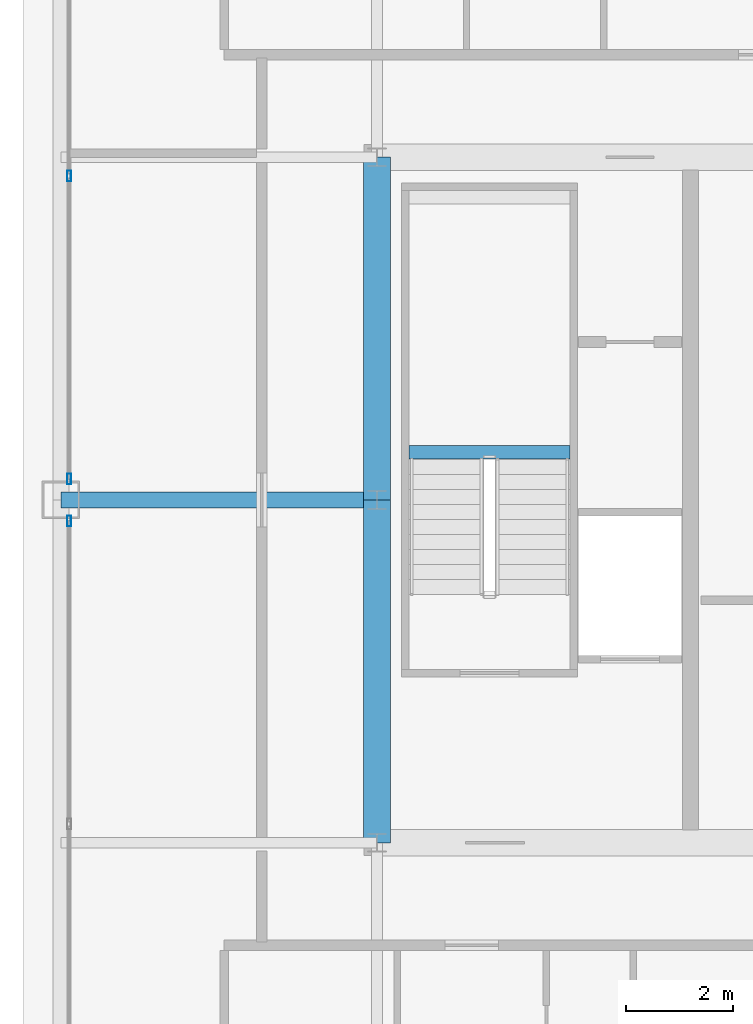
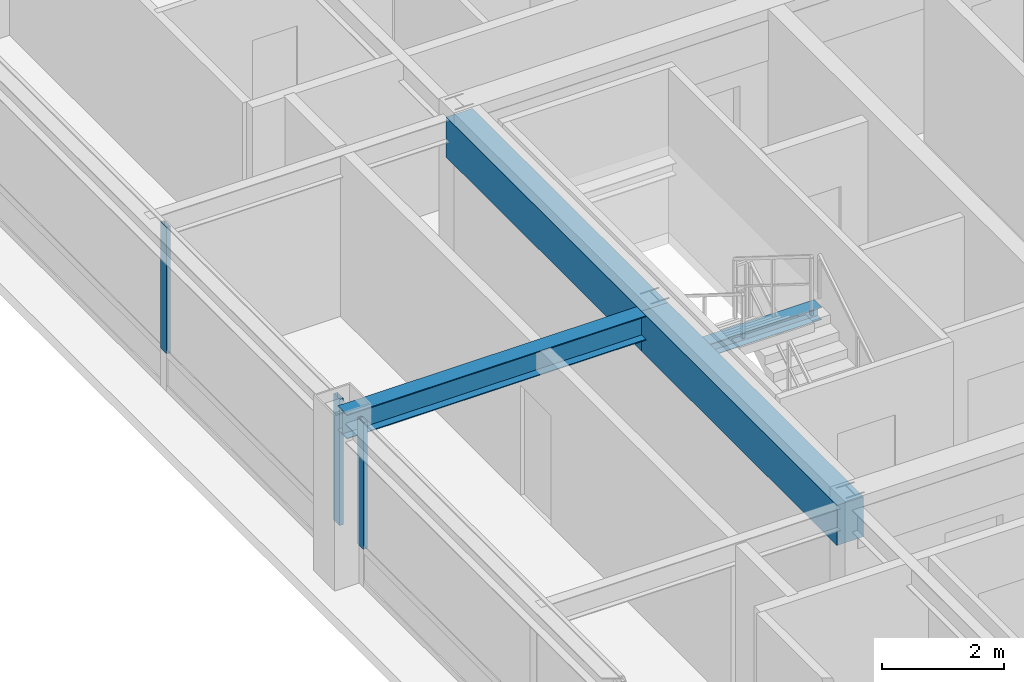
# One storey, part 11 of 35: 4 beams, 3 members, 2 elements without a shape of their own.
"""IFC4 building model written with IfcOpenShell, lengths in metres."""

from ifc_helpers import new_model, si_unit, direction, frame, origin, origin_2d, place, context, subcontext, project, spatial, rectangle, hollow_rectangle, i_section, extrude, source, transform, mapped, material, layer, layer_set, material_profile, profile_set, type_object, element, aggregate, save


model = new_model("IFC4")

# Units and contexts
model_context = context("Model", 3, precision=1e-05, world=origin(), true_north=direction((0.0, 1.0)))
body_context = subcontext(model_context, "Body", "Model", "MODEL_VIEW")
ifc_project = project(units=[si_unit("LENGTHUNIT", "METRE"), si_unit("AREAUNIT", "SQUARE_METRE"), si_unit("VOLUMEUNIT", "CUBIC_METRE"), si_unit("PLANEANGLEUNIT", "RADIAN"), si_unit("MASSUNIT", "GRAM", prefix="KILO"), si_unit("THERMODYNAMICTEMPERATUREUNIT", "KELVIN"), si_unit("POWERUNIT", "WATT")], contexts=[model_context])

# Site, building, storey
site_placement = place(None, origin())
site = spatial("IfcSite", under=ifc_project, at=site_placement, CompositionType="ELEMENT")
building_placement = place(site_placement, origin())
building = spatial("IfcBuilding", under=site, at=building_placement, Name="Yuzanri Waterfront Tower", CompositionType="ELEMENT")
storey_placement = place(building_placement, frame((0.0, 0.0, 289.10009765625)))
storey = spatial("IfcBuildingStorey", under=building, at=storey_placement, Name="L77", CompositionType="ELEMENT", Elevation=289.10009765625)

# Beams
ifc_material_1 = material(Name="Concrete C50", Category="concrete")
ifc_material_profile_1 = material_profile(ifc_material_1, rectangle(XDim=0.5, YDim=0.800048828125, at=origin_2d()), Name="RC 500x800")
ifc_profile_set_1 = profile_set([ifc_material_profile_1], Name="Concrete C50")
beam_type_1 = type_object("IfcBeamType", Name="Core Coupling Lintel Concrete C50 500x800", PredefinedType="LINTEL", material=ifc_profile_set_1)
shared_shape_1 = source(origin(), body_context, "Body", "SweptSolid", [
    extrude(rectangle(XDim=0.5, YDim=0.800048828125, at=origin_2d()), origin(), (0.0, 0.0, 1.0), 6.400146484375),
])
beam_1_placement = place(storey_placement, frame((23.800048828125, 19.39990234375, 2.8798828125), z_axis=(0.0, 1.0, 0.0), x_axis=(-1.0, 0.0, 0.0)))
element("IfcBeam", 1, at=beam_1_placement, inside=storey, type_object=beam_type_1, Name="L77 Core Tie Beam CW1", PredefinedType="LINTEL", context=body_context, shape_type="MappedRepresentation", body=[
    mapped(shared_shape_1, transform((0.0, 0.0, 0.0), scale=1.0)),
])
shared_shape_2 = source(origin(), body_context, "Body", "SweptSolid", [
    extrude(rectangle(XDim=0.5, YDim=0.800048828125, at=origin_2d()), origin(), (0.0, 0.0, 1.0), 6.39990234375),
])
beam_2_placement = place(storey_placement, frame((23.800048828125, 25.800048828125, 2.8798828125), z_axis=(0.0, 1.0, 0.0), x_axis=(-1.0, 0.0, 0.0)))
element("IfcBeam", 2, at=beam_2_placement, inside=storey, type_object=beam_type_1, Name="L77 Core Tie Beam CW2", PredefinedType="LINTEL", context=body_context, shape_type="MappedRepresentation", body=[
    mapped(shared_shape_2, transform((0.0, 0.0, 0.0), scale=1.0)),
])
ifc_material_2 = material(Name="Steel Q355B", Category="steel")
ifc_material_profile_2 = material_profile(ifc_material_2, i_section(OverallWidth=0.300048828125, OverallDepth=0.488037109375, WebThickness=0.010986328125, FlangeThickness=0.01806640625, at=origin_2d()), Name="HM 488x300x11x18")
ifc_profile_set_2 = profile_set([ifc_material_profile_2], Name="Steel Q355B")
beam_type_2 = type_object("IfcBeamType", Name="Primary Floor Girder Q355B HM 488x300", PredefinedType="BEAM", material=ifc_profile_set_2)
shared_shape_3 = source(origin(), body_context, "Body", "SweptSolid", [
    extrude(i_section(OverallWidth=0.300048828125, OverallDepth=0.488037109375, WebThickness=0.010986328125, FlangeThickness=0.01806640625, at=origin_2d()), origin(), (0.0, 0.0, 1.0), 5.900146484375),
])
beam_3_placement = place(storey_placement, frame((23.800048828125, 25.800048828125, 3.035888671875), z_axis=(-1.0, 0.0, 0.0), x_axis=(0.0, -1.0, 0.0)))
element("IfcBeam", 3, at=beam_3_placement, inside=storey, type_object=beam_type_2, Name="L77 West Grid Girder", PredefinedType="BEAM", context=body_context, shape_type="MappedRepresentation", body=[
    mapped(shared_shape_3, transform((0.0, 0.0, 0.0), scale=1.0)),
])

# Curtain wall, member
ifc_material_3 = material(Name="Anodized Architectural Bronze", Category="metal")
ifc_layer = layer(ifc_material_3, 0.159912109375)
ifc_layer_set = layer_set([ifc_layer], Name="Anodized Architectural Bronze")
curtain_wall_type = type_object("IfcCurtainWallType", Name="Anodized Bronze High-Rise Penthouse High-Wind Unitized Curtain Wall 6900", PredefinedType="NOTDEFINED", material=ifc_layer_set)
curtain_wall_1_placement = place(storey_placement, origin())
curtain_wall_1 = element("IfcCurtainWall", 4, at=curtain_wall_1_placement, inside=storey, type_object=curtain_wall_type, Name="L77 Curtain Wall CW-L77-WL", PredefinedType="NOTDEFINED")
ifc_material_4 = material(Name="Anodized Architectural Bronze", Category="metal")
ifc_material_profile_3 = material_profile(ifc_material_4, hollow_rectangle(XDim=0.074951171875, YDim=0.199951171875, WallThickness=0.00390625, at=origin_2d()), Name="CWM 75x200")
ifc_profile_set_3 = profile_set([ifc_material_profile_3], Name="Anodized Architectural Bronze")
member_type = type_object("IfcMemberType", Name="Anodized Bronze Primary Curtain-Wall Mullion 75x200", PredefinedType="MULLION", material=ifc_profile_set_3)
shared_shape_4 = source(origin(), body_context, "Body", "SweptSolid", [
    extrude(hollow_rectangle(XDim=0.074951171875, YDim=0.199951171875, WallThickness=0.00390625, at=origin_2d()), origin(), (0.0, 0.0, 1.0), 2.52392578125),
])
member_1_placement = place(storey_placement, frame((18.050048828125, 25.409912109375, 0.755859375), z_axis=(0.0, 0.0, 1.0), x_axis=(1.0, 0.0, 0.0)))
member_1 = element("IfcMember", 5, at=member_1_placement, type_object=member_type, Name="CW-L77-WL Upper Mullion 02", PredefinedType="MULLION", context=body_context, shape_type="MappedRepresentation", body=[
    mapped(shared_shape_4, transform((0.0, 0.0, 0.0), scale=1.0)),
])
aggregate(curtain_wall_1, [member_1])

# Curtain wall, members
curtain_wall_2_placement = place(storey_placement, origin())
curtain_wall_2 = element("IfcCurtainWall", 6, at=curtain_wall_2_placement, inside=storey, type_object=curtain_wall_type, Name="L77 Curtain Wall CW-L77-WR", PredefinedType="NOTDEFINED")
member_2_placement = place(storey_placement, frame((18.050048828125, 26.18994140625, 0.755859375), z_axis=(0.0, 0.0, 1.0), x_axis=(1.0, 0.0, 0.0)))
member_2 = element("IfcMember", 7, at=member_2_placement, type_object=member_type, Name="CW-L77-WR Upper Mullion 00", PredefinedType="MULLION", context=body_context, shape_type="MappedRepresentation", body=[
    mapped(shared_shape_4, transform((0.0, 0.0, 0.0), scale=1.0)),
])
member_3_placement = place(storey_placement, frame((18.050048828125, 31.85009765625, 0.755859375), z_axis=(0.0, 0.0, 1.0), x_axis=(1.0, 0.0, 0.0)))
member_3 = element("IfcMember", 8, at=member_3_placement, type_object=member_type, Name="CW-L77-WR Upper Mullion 01", PredefinedType="MULLION", context=body_context, shape_type="MappedRepresentation", body=[
    mapped(shared_shape_4, transform((0.0, 0.0, 0.0), scale=1.0)),
])
aggregate(curtain_wall_2, [member_2, member_3])

# Beam
ifc_material_5 = material(Name="Steel Q355B", Category="steel")
ifc_material_profile_4 = material_profile(ifc_material_5, i_section(OverallWidth=0.25, OverallDepth=0.25, WebThickness=0.009033203125, FlangeThickness=0.013916015625, at=origin_2d()), Name="HW 250x250x9x14")
ifc_profile_set_4 = profile_set([ifc_material_profile_4], Name="Steel Q355B")
beam_type_3 = type_object("IfcBeamType", Name="Stair Landing Support Beam Q355B HW 250x250", PredefinedType="BEAM", material=ifc_profile_set_4)
shared_shape_5 = source(origin(), body_context, "Body", "SweptSolid", [
    extrude(i_section(OverallWidth=0.25, OverallDepth=0.25, WebThickness=0.009033203125, FlangeThickness=0.013916015625, at=origin_2d()), origin(), (0.0, 0.0, 1.0), 3.0),
])
beam_4_placement = place(storey_placement, frame((24.39990234375, 26.68994140625, 1.4248046875), z_axis=(1.0, 0.0, 0.0), x_axis=(0.0, 1.0, 0.0)))
element("IfcBeam", 9, at=beam_4_placement, inside=storey, type_object=beam_type_3, Name="L77 Stair Landing Support Beam ST-01-L77-L1-1", PredefinedType="BEAM", context=body_context, shape_type="MappedRepresentation", body=[
    mapped(shared_shape_5, transform((0.0, 0.0, 0.0), scale=1.0)),
])

save(model, "model.ifc")
